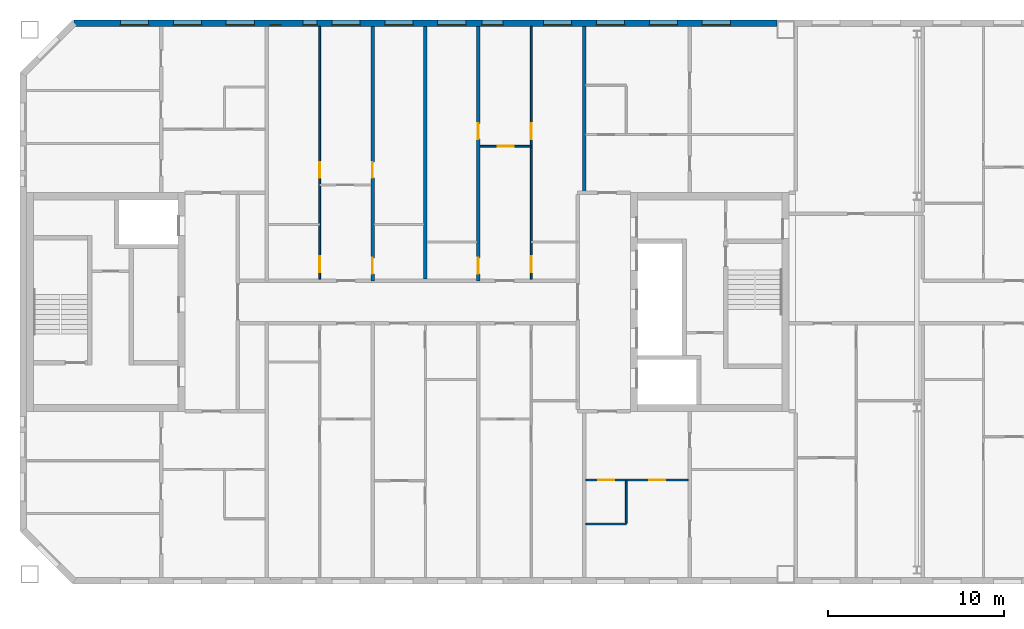
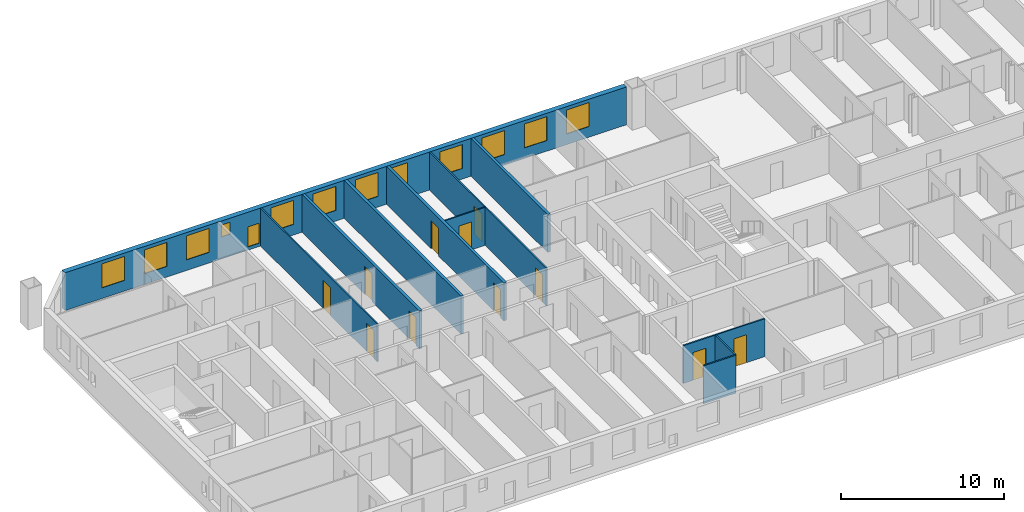
# One storey, part 7 of 19: 13 windows, 11 doors, 11 walls, 24 openings.
"""IFC4 building model written with IfcOpenShell, lengths in metres."""

from ifc_helpers import new_model, si_unit, direction, frame, frame_2d, origin, place, context, subcontext, project, spatial, rectangle, extrude, material, layer, layer_set, type_object, element, fill, save


model = new_model("IFC4")

# Units and contexts
model_context = context("Model", 3, precision=1e-05, world=origin(), true_north=direction((0.0, 1.0)))
body_context = subcontext(model_context, "Body", "Model", "MODEL_VIEW")
ifc_project = project(units=[si_unit("LENGTHUNIT", "METRE"), si_unit("AREAUNIT", "SQUARE_METRE"), si_unit("VOLUMEUNIT", "CUBIC_METRE"), si_unit("PLANEANGLEUNIT", "RADIAN"), si_unit("MASSUNIT", "GRAM", prefix="KILO")], contexts=[model_context])

# Site, building, storey
site_placement = place(None, origin())
site = spatial("IfcSite", under=ifc_project, at=site_placement, CompositionType="ELEMENT")
building_placement = place(site_placement, origin())
building = spatial("IfcBuilding", under=site, at=building_placement, Name="Tuart Gate Housing", CompositionType="ELEMENT")
storey_placement = place(building_placement, frame((0.0, 0.0, 224.5)))
storey = spatial("IfcBuildingStorey", under=building, at=storey_placement, Name="L63", CompositionType="ELEMENT", Elevation=224.5)

# Wall, openings, windows
ifc_material_1 = material(Name="Brick", Category="masonry")
ifc_layer_1 = layer(ifc_material_1, 0.360107421875)
ifc_layer_set_1 = layer_set([ifc_layer_1], Name="Brick pier and spandrel wall 360")
wall_type_1 = type_object("IfcWallType", Name="Brick pier and spandrel wall 360", PredefinedType="STANDARD", material=ifc_layer_set_1)
wall_1_placement = place(storey_placement, frame((74.949951171875, 85.820068359375, 0.0), z_axis=(0.0, 0.0, 1.0), x_axis=(-1.0, 0.0, 0.0)))
wall_1 = element("IfcWall", 1, at=wall_1_placement, inside=storey, type_object=wall_type_1, Name="External wall BLK-N L63", PredefinedType="STANDARD", context=body_context, shape_type="SweptSolid", body=[
    extrude(rectangle(XDim=39.87548828125, YDim=0.360107421875, at=frame_2d((19.937744140625, 0.0))), origin(), (0.0, 0.0, 1.0), 2.85009765625),
])
opening_1_placement = place(wall_1_placement, frame((2.64990234375, 0.0, 0.800048828125)))
opening_1 = element("IfcOpeningElement", 2, at=opening_1_placement, cuts=wall_1, Name="Opening W1", PredefinedType="OPENING", context=body_context, shape_type="SweptSolid", body=[
    extrude(rectangle(XDim=1.60009765625, YDim=1.800048828125, at=frame_2d((0.800048828125, 0.89990234375))), frame((0.0, 0.18994140625, 0.0), z_axis=(0.0, -1.0, 0.0), x_axis=(1.0, 0.0, 0.0)), (0.0, 0.0, 1.0), 0.380126953125),
])
opening_2_placement = place(wall_1_placement, frame((5.64990234375, 0.0, 0.800048828125)))
opening_2 = element("IfcOpeningElement", 3, at=opening_2_placement, cuts=wall_1, Name="Opening W1", PredefinedType="OPENING", context=body_context, shape_type="SweptSolid", body=[
    extrude(rectangle(XDim=1.60009765625, YDim=1.800048828125, at=frame_2d((0.800048828125, 0.89990234375))), frame((0.0, 0.18994140625, 0.0), z_axis=(0.0, -1.0, 0.0), x_axis=(1.0, 0.0, 0.0)), (0.0, 0.0, 1.0), 0.380126953125),
])
opening_3_placement = place(wall_1_placement, frame((8.64990234375, 0.0, 0.800048828125)))
opening_3 = element("IfcOpeningElement", 4, at=opening_3_placement, cuts=wall_1, Name="Opening W1", PredefinedType="OPENING", context=body_context, shape_type="SweptSolid", body=[
    extrude(rectangle(XDim=1.60009765625, YDim=1.800048828125, at=frame_2d((0.800048828125, 0.89990234375))), frame((0.0, 0.18994140625, 0.0), z_axis=(0.0, -1.0, 0.0), x_axis=(1.0, 0.0, 0.0)), (0.0, 0.0, 1.0), 0.380126953125),
])
opening_4_placement = place(wall_1_placement, frame((11.64990234375, 0.0, 0.800048828125)))
opening_4 = element("IfcOpeningElement", 5, at=opening_4_placement, cuts=wall_1, Name="Opening W1", PredefinedType="OPENING", context=body_context, shape_type="SweptSolid", body=[
    extrude(rectangle(XDim=1.60009765625, YDim=1.800048828125, at=frame_2d((0.800048828125, 0.89990234375))), frame((0.0, 0.18994140625, 0.0), z_axis=(0.0, -1.0, 0.0), x_axis=(1.0, 0.0, 0.0)), (0.0, 0.0, 1.0), 0.380126953125),
])
opening_5_placement = place(wall_1_placement, frame((15.550048828125, 0.0, 0.800048828125)))
opening_5 = element("IfcOpeningElement", 6, at=opening_5_placement, cuts=wall_1, Name="Opening W1B", PredefinedType="OPENING", context=body_context, shape_type="SweptSolid", body=[
    extrude(rectangle(XDim=1.199951171875, YDim=1.800048828125, at=frame_2d((0.60009765625, 0.89990234375))), frame((0.0, 0.18994140625, 0.0), z_axis=(0.0, -1.0, 0.0), x_axis=(1.0, 0.0, 0.0)), (0.0, 0.0, 1.0), 0.380126953125),
])
opening_6_placement = place(wall_1_placement, frame((17.64990234375, 0.0, 0.800048828125)))
opening_6 = element("IfcOpeningElement", 7, at=opening_6_placement, cuts=wall_1, Name="Opening W1", PredefinedType="OPENING", context=body_context, shape_type="SweptSolid", body=[
    extrude(rectangle(XDim=1.60009765625, YDim=1.800048828125, at=frame_2d((0.800048828125, 0.89990234375))), frame((0.0, 0.18994140625, 0.0), z_axis=(0.0, -1.0, 0.0), x_axis=(1.0, 0.0, 0.0)), (0.0, 0.0, 1.0), 0.380126953125),
])
opening_7_placement = place(wall_1_placement, frame((20.64990234375, 0.0, 0.800048828125)))
opening_7 = element("IfcOpeningElement", 8, at=opening_7_placement, cuts=wall_1, Name="Opening W1", PredefinedType="OPENING", context=body_context, shape_type="SweptSolid", body=[
    extrude(rectangle(XDim=1.60009765625, YDim=1.800048828125, at=frame_2d((0.800048828125, 0.89990234375))), frame((0.0, 0.18994140625, 0.0), z_axis=(0.0, -1.0, 0.0), x_axis=(1.0, 0.0, 0.0)), (0.0, 0.0, 1.0), 0.380126953125),
])
opening_8_placement = place(wall_1_placement, frame((23.64990234375, 0.0, 0.800048828125)))
opening_8 = element("IfcOpeningElement", 9, at=opening_8_placement, cuts=wall_1, Name="Opening W1", PredefinedType="OPENING", context=body_context, shape_type="SweptSolid", body=[
    extrude(rectangle(XDim=1.60009765625, YDim=1.800048828125, at=frame_2d((0.800048828125, 0.89990234375))), frame((0.0, 0.18994140625, 0.0), z_axis=(0.0, -1.0, 0.0), x_axis=(1.0, 0.0, 0.0)), (0.0, 0.0, 1.0), 0.380126953125),
])
opening_9_placement = place(wall_1_placement, frame((26.10009765625, 0.0, 0.25)))
opening_9 = element("IfcOpeningElement", 10, at=opening_9_placement, cuts=wall_1, Name="Opening W1J", PredefinedType="OPENING", context=body_context, shape_type="SweptSolid", body=[
    extrude(rectangle(XDim=0.800048828125, YDim=1.5, at=frame_2d((0.39990234375, 0.75))), frame((0.0, 0.18994140625, 0.0), z_axis=(0.0, -1.0, 0.0), x_axis=(1.0, 0.0, 0.0)), (0.0, 0.0, 1.0), 0.380126953125),
])
opening_10_placement = place(wall_1_placement, frame((29.64990234375, 0.0, 0.800048828125)))
opening_10 = element("IfcOpeningElement", 11, at=opening_10_placement, cuts=wall_1, Name="Opening W1", PredefinedType="OPENING", context=body_context, shape_type="SweptSolid", body=[
    extrude(rectangle(XDim=1.60009765625, YDim=1.800048828125, at=frame_2d((0.800048828125, 0.89990234375))), frame((0.0, 0.18994140625, 0.0), z_axis=(0.0, -1.0, 0.0), x_axis=(1.0, 0.0, 0.0)), (0.0, 0.0, 1.0), 0.380126953125),
])
opening_11_placement = place(wall_1_placement, frame((32.64990234375, 0.0, 0.800048828125)))
opening_11 = element("IfcOpeningElement", 12, at=opening_11_placement, cuts=wall_1, Name="Opening W1", PredefinedType="OPENING", context=body_context, shape_type="SweptSolid", body=[
    extrude(rectangle(XDim=1.60009765625, YDim=1.800048828125, at=frame_2d((0.800048828125, 0.89990234375))), frame((0.0, 0.18994140625, 0.0), z_axis=(0.0, -1.0, 0.0), x_axis=(1.0, 0.0, 0.0)), (0.0, 0.0, 1.0), 0.380126953125),
])
opening_12_placement = place(wall_1_placement, frame((35.64990234375, 0.0, 0.800048828125)))
opening_12 = element("IfcOpeningElement", 13, at=opening_12_placement, cuts=wall_1, Name="Opening W1", PredefinedType="OPENING", context=body_context, shape_type="SweptSolid", body=[
    extrude(rectangle(XDim=1.60009765625, YDim=1.800048828125, at=frame_2d((0.800048828125, 0.89990234375))), frame((0.0, 0.18994140625, 0.0), z_axis=(0.0, -1.0, 0.0), x_axis=(1.0, 0.0, 0.0)), (0.0, 0.0, 1.0), 0.380126953125),
])
opening_13_placement = place(wall_1_placement, frame((28.14990234375, 0.0, 1.64990234375)))
opening_13 = element("IfcOpeningElement", 14, at=opening_13_placement, cuts=wall_1, Name="Opening W1W", PredefinedType="OPENING", context=body_context, shape_type="SweptSolid", body=[
    extrude(rectangle(XDim=0.60009765625, YDim=0.89990234375, at=frame_2d((0.300048828125, 0.449951171875))), frame((0.0, 0.18994140625, 0.0), z_axis=(0.0, -1.0, 0.0), x_axis=(1.0, 0.0, 0.0)), (0.0, 0.0, 1.0), 0.380126953125),
])
ifc_material_2 = material(Name="Aluminium frame with clear glass", Category="aluminium")
window_type_1 = type_object("IfcWindowType", Name="Punched window 1200 x 1800", PartitioningType="SINGLE_PANEL", PredefinedType="WINDOW", material=ifc_material_2)
window_1_placement = place(opening_5_placement, origin())
window_1 = element("IfcWindow", 15, at=window_1_placement, inside=storey, type_object=window_type_1, Name="Window W1B", OverallHeight=1.800048828125, OverallWidth=1.199951171875, PartitioningType="SINGLE_PANEL", PredefinedType="WINDOW", context=body_context, shape_type="SweptSolid", body=[
    extrude(rectangle(XDim=1.199951171875, YDim=1.800048828125, at=frame_2d((0.60009765625, 0.89990234375))), frame((0.0, 0.150146484375, 0.0), z_axis=(0.0, -1.0, 0.0), x_axis=(1.0, 0.0, 0.0)), (0.0, 0.0, 1.0), 0.06005859375),
])
fill(opening_5, window_1)
ifc_material_3 = material(Name="Aluminium frame with clear glass", Category="aluminium")
window_type_2 = type_object("IfcWindowType", Name="Punched window 1600 x 1800", PartitioningType="SINGLE_PANEL", PredefinedType="WINDOW", material=ifc_material_3)
window_2_placement = place(opening_1_placement, origin())
window_2 = element("IfcWindow", 16, at=window_2_placement, inside=storey, type_object=window_type_2, Name="Window W1", OverallHeight=1.800048828125, OverallWidth=1.60009765625, PartitioningType="SINGLE_PANEL", PredefinedType="WINDOW", context=body_context, shape_type="SweptSolid", body=[
    extrude(rectangle(XDim=1.60009765625, YDim=1.800048828125, at=frame_2d((0.800048828125, 0.89990234375))), frame((0.0, 0.150146484375, 0.0), z_axis=(0.0, -1.0, 0.0), x_axis=(1.0, 0.0, 0.0)), (0.0, 0.0, 1.0), 0.06005859375),
])
fill(opening_1, window_2)
window_3_placement = place(opening_2_placement, origin())
window_3 = element("IfcWindow", 17, at=window_3_placement, inside=storey, type_object=window_type_2, Name="Window W1", OverallHeight=1.800048828125, OverallWidth=1.60009765625, PartitioningType="SINGLE_PANEL", PredefinedType="WINDOW", context=body_context, shape_type="SweptSolid", body=[
    extrude(rectangle(XDim=1.60009765625, YDim=1.800048828125, at=frame_2d((0.800048828125, 0.89990234375))), frame((0.0, 0.150146484375, 0.0), z_axis=(0.0, -1.0, 0.0), x_axis=(1.0, 0.0, 0.0)), (0.0, 0.0, 1.0), 0.06005859375),
])
fill(opening_2, window_3)
window_4_placement = place(opening_3_placement, origin())
window_4 = element("IfcWindow", 18, at=window_4_placement, inside=storey, type_object=window_type_2, Name="Window W1", OverallHeight=1.800048828125, OverallWidth=1.60009765625, PartitioningType="SINGLE_PANEL", PredefinedType="WINDOW", context=body_context, shape_type="SweptSolid", body=[
    extrude(rectangle(XDim=1.60009765625, YDim=1.800048828125, at=frame_2d((0.800048828125, 0.89990234375))), frame((0.0, 0.150146484375, 0.0), z_axis=(0.0, -1.0, 0.0), x_axis=(1.0, 0.0, 0.0)), (0.0, 0.0, 1.0), 0.06005859375),
])
fill(opening_3, window_4)
window_5_placement = place(opening_4_placement, origin())
window_5 = element("IfcWindow", 19, at=window_5_placement, inside=storey, type_object=window_type_2, Name="Window W1", OverallHeight=1.800048828125, OverallWidth=1.60009765625, PartitioningType="SINGLE_PANEL", PredefinedType="WINDOW", context=body_context, shape_type="SweptSolid", body=[
    extrude(rectangle(XDim=1.60009765625, YDim=1.800048828125, at=frame_2d((0.800048828125, 0.89990234375))), frame((0.0, 0.150146484375, 0.0), z_axis=(0.0, -1.0, 0.0), x_axis=(1.0, 0.0, 0.0)), (0.0, 0.0, 1.0), 0.06005859375),
])
fill(opening_4, window_5)
window_6_placement = place(opening_6_placement, origin())
window_6 = element("IfcWindow", 20, at=window_6_placement, inside=storey, type_object=window_type_2, Name="Window W1", OverallHeight=1.800048828125, OverallWidth=1.60009765625, PartitioningType="SINGLE_PANEL", PredefinedType="WINDOW", context=body_context, shape_type="SweptSolid", body=[
    extrude(rectangle(XDim=1.60009765625, YDim=1.800048828125, at=frame_2d((0.800048828125, 0.89990234375))), frame((0.0, 0.150146484375, 0.0), z_axis=(0.0, -1.0, 0.0), x_axis=(1.0, 0.0, 0.0)), (0.0, 0.0, 1.0), 0.06005859375),
])
fill(opening_6, window_6)
window_7_placement = place(opening_7_placement, origin())
window_7 = element("IfcWindow", 21, at=window_7_placement, inside=storey, type_object=window_type_2, Name="Window W1", OverallHeight=1.800048828125, OverallWidth=1.60009765625, PartitioningType="SINGLE_PANEL", PredefinedType="WINDOW", context=body_context, shape_type="SweptSolid", body=[
    extrude(rectangle(XDim=1.60009765625, YDim=1.800048828125, at=frame_2d((0.800048828125, 0.89990234375))), frame((0.0, 0.150146484375, 0.0), z_axis=(0.0, -1.0, 0.0), x_axis=(1.0, 0.0, 0.0)), (0.0, 0.0, 1.0), 0.06005859375),
])
fill(opening_7, window_7)
window_8_placement = place(opening_8_placement, origin())
window_8 = element("IfcWindow", 22, at=window_8_placement, inside=storey, type_object=window_type_2, Name="Window W1", OverallHeight=1.800048828125, OverallWidth=1.60009765625, PartitioningType="SINGLE_PANEL", PredefinedType="WINDOW", context=body_context, shape_type="SweptSolid", body=[
    extrude(rectangle(XDim=1.60009765625, YDim=1.800048828125, at=frame_2d((0.800048828125, 0.89990234375))), frame((0.0, 0.150146484375, 0.0), z_axis=(0.0, -1.0, 0.0), x_axis=(1.0, 0.0, 0.0)), (0.0, 0.0, 1.0), 0.06005859375),
])
fill(opening_8, window_8)
window_9_placement = place(opening_10_placement, origin())
window_9 = element("IfcWindow", 23, at=window_9_placement, inside=storey, type_object=window_type_2, Name="Window W1", OverallHeight=1.800048828125, OverallWidth=1.60009765625, PartitioningType="SINGLE_PANEL", PredefinedType="WINDOW", context=body_context, shape_type="SweptSolid", body=[
    extrude(rectangle(XDim=1.60009765625, YDim=1.800048828125, at=frame_2d((0.800048828125, 0.89990234375))), frame((0.0, 0.150146484375, 0.0), z_axis=(0.0, -1.0, 0.0), x_axis=(1.0, 0.0, 0.0)), (0.0, 0.0, 1.0), 0.06005859375),
])
fill(opening_10, window_9)
window_10_placement = place(opening_11_placement, origin())
window_10 = element("IfcWindow", 24, at=window_10_placement, inside=storey, type_object=window_type_2, Name="Window W1", OverallHeight=1.800048828125, OverallWidth=1.60009765625, PartitioningType="SINGLE_PANEL", PredefinedType="WINDOW", context=body_context, shape_type="SweptSolid", body=[
    extrude(rectangle(XDim=1.60009765625, YDim=1.800048828125, at=frame_2d((0.800048828125, 0.89990234375))), frame((0.0, 0.150146484375, 0.0), z_axis=(0.0, -1.0, 0.0), x_axis=(1.0, 0.0, 0.0)), (0.0, 0.0, 1.0), 0.06005859375),
])
fill(opening_11, window_10)
window_11_placement = place(opening_12_placement, origin())
window_11 = element("IfcWindow", 25, at=window_11_placement, inside=storey, type_object=window_type_2, Name="Window W1", OverallHeight=1.800048828125, OverallWidth=1.60009765625, PartitioningType="SINGLE_PANEL", PredefinedType="WINDOW", context=body_context, shape_type="SweptSolid", body=[
    extrude(rectangle(XDim=1.60009765625, YDim=1.800048828125, at=frame_2d((0.800048828125, 0.89990234375))), frame((0.0, 0.150146484375, 0.0), z_axis=(0.0, -1.0, 0.0), x_axis=(1.0, 0.0, 0.0)), (0.0, 0.0, 1.0), 0.06005859375),
])
fill(opening_12, window_11)
ifc_material_4 = material(Name="Aluminium frame with clear glass", Category="aluminium")
window_type_3 = type_object("IfcWindowType", Name="Punched window 600 x 900", PartitioningType="SINGLE_PANEL", PredefinedType="WINDOW", material=ifc_material_4)
window_12_placement = place(opening_13_placement, origin())
window_12 = element("IfcWindow", 26, at=window_12_placement, inside=storey, type_object=window_type_3, Name="Window W1W", OverallHeight=0.89990234375, OverallWidth=0.60009765625, PartitioningType="SINGLE_PANEL", PredefinedType="WINDOW", context=body_context, shape_type="SweptSolid", body=[
    extrude(rectangle(XDim=0.60009765625, YDim=0.89990234375, at=frame_2d((0.300048828125, 0.449951171875))), frame((0.0, 0.150146484375, 0.0), z_axis=(0.0, -1.0, 0.0), x_axis=(1.0, 0.0, 0.0)), (0.0, 0.0, 1.0), 0.06005859375),
])
fill(opening_13, window_12)
ifc_material_5 = material(Name="Aluminium frame with clear glass", Category="aluminium")
window_type_4 = type_object("IfcWindowType", Name="Punched window 800 x 1500", PartitioningType="SINGLE_PANEL", PredefinedType="WINDOW", material=ifc_material_5)
window_13_placement = place(opening_9_placement, origin())
window_13 = element("IfcWindow", 27, at=window_13_placement, inside=storey, type_object=window_type_4, Name="Window W1J", OverallHeight=1.5, OverallWidth=0.800048828125, PartitioningType="SINGLE_PANEL", PredefinedType="WINDOW", context=body_context, shape_type="SweptSolid", body=[
    extrude(rectangle(XDim=0.800048828125, YDim=1.5, at=frame_2d((0.39990234375, 0.75))), frame((0.0, 0.150146484375, 0.0), z_axis=(0.0, -1.0, 0.0), x_axis=(1.0, 0.0, 0.0)), (0.0, 0.0, 1.0), 0.06005859375),
])
fill(opening_9, window_13)

# Wall
ifc_material_6 = material(Name="Gypsum board on steel studs", Category="steel")
ifc_layer_2 = layer(ifc_material_6, 0.10009765625)
ifc_layer_set_2 = layer_set([ifc_layer_2], Name="Partition 100")
wall_type_2 = type_object("IfcWallType", Name="Partition 100", PredefinedType="PARTITIONING", material=ifc_layer_set_2)
wall_2_placement = place(storey_placement, frame((64.10009765625, 57.39990234375, 0.0), z_axis=(0.0, 0.0, 1.0), x_axis=(1.0, 0.0, 0.0)))
element("IfcWall", 28, at=wall_2_placement, inside=storey, type_object=wall_type_2, Name="Partition 100", PredefinedType="PARTITIONING", context=body_context, shape_type="SweptSolid", body=[
    extrude(rectangle(XDim=2.2998046875, YDim=0.10009765625, at=frame_2d((1.14990234375, 0.0))), origin(), (0.0, 0.0, 1.0), 2.85009765625),
])

# Wall, openings, doors
wall_3_placement = place(storey_placement, frame((64.10009765625, 59.89990234375, 0.0), z_axis=(0.0, 0.0, 1.0), x_axis=(1.0, 0.0, 0.0)))
wall_3 = element("IfcWall", 29, at=wall_3_placement, inside=storey, type_object=wall_type_2, Name="Partition 100", PredefinedType="PARTITIONING", context=body_context, shape_type="SweptSolid", body=[
    extrude(rectangle(XDim=5.7998046875, YDim=0.10009765625, at=frame_2d((2.89990234375, 0.0))), origin(), (0.0, 0.0, 1.0), 2.85009765625),
])
opening_14_placement = place(wall_3_placement, frame((3.60009765625, 0.0, 0.0)))
opening_14 = element("IfcOpeningElement", 30, at=opening_14_placement, cuts=wall_3, Name="Opening D2326", PredefinedType="OPENING", context=body_context, shape_type="SweptSolid", body=[
    extrude(rectangle(XDim=0.89990234375, YDim=2.10009765625, at=frame_2d((0.449951171875, 1.050048828125))), frame((0.0, 0.06005859375, 0.0), z_axis=(0.0, -1.0, 0.0), x_axis=(1.0, 0.0, 0.0)), (0.0, 0.0, 1.0), 0.1201171875),
])
opening_15_placement = place(wall_3_placement, frame((0.699951171875, 0.0, 0.0)))
opening_15 = element("IfcOpeningElement", 31, at=opening_15_placement, cuts=wall_3, Name="Opening D2325", PredefinedType="OPENING", context=body_context, shape_type="SweptSolid", body=[
    extrude(rectangle(XDim=0.89990234375, YDim=2.10009765625, at=frame_2d((0.449951171875, 1.050048828125))), frame((0.0, 0.06005859375, 0.0), z_axis=(0.0, -1.0, 0.0), x_axis=(1.0, 0.0, 0.0)), (0.0, 0.0, 1.0), 0.1201171875),
])
ifc_material_7 = material(Name="Timber door leaf in steel frame", Category="steel")
door_type_1 = type_object("IfcDoorType", Name="Bathroom door 900", OperationType="SINGLE_SWING_LEFT", PredefinedType="DOOR", material=ifc_material_7)
door_1_placement = place(opening_15_placement, frame((0.89990234375, 0.0, 0.0), z_axis=(0.0, 0.0, 1.0), x_axis=(-1.0, 0.0, 0.0)))
door_1 = element("IfcDoor", 32, at=door_1_placement, inside=storey, type_object=door_type_1, Name="Bathroom door", OperationType="SINGLE_SWING_LEFT", OverallHeight=2.10009765625, OverallWidth=0.89990234375, PredefinedType="DOOR", context=body_context, shape_type="SweptSolid", body=[
    extrude(rectangle(XDim=0.89990234375, YDim=2.10009765625, at=frame_2d((0.449951171875, 1.050048828125))), frame((0.0, 0.025146484375, 0.0), z_axis=(0.0, -1.0, 0.0), x_axis=(1.0, 0.0, 0.0)), (0.0, 0.0, 1.0), 0.050048828125),
])
fill(opening_15, door_1)
ifc_material_8 = material(Name="Timber door leaf in steel frame", Category="steel")
door_type_2 = type_object("IfcDoorType", Name="Internal door 900 RH", OperationType="SINGLE_SWING_RIGHT", PredefinedType="DOOR", material=ifc_material_8)
door_2_placement = place(opening_14_placement, origin())
door_2 = element("IfcDoor", 33, at=door_2_placement, inside=storey, type_object=door_type_2, Name="Internal door", OperationType="SINGLE_SWING_RIGHT", OverallHeight=2.10009765625, OverallWidth=0.89990234375, PredefinedType="DOOR", context=body_context, shape_type="SweptSolid", body=[
    extrude(rectangle(XDim=0.89990234375, YDim=2.10009765625, at=frame_2d((0.449951171875, 1.050048828125))), frame((0.0, 0.02490234375, 0.0), z_axis=(0.0, -1.0, 0.0), x_axis=(1.0, 0.0, 0.0)), (0.0, 0.0, 1.0), 0.050048828125),
])
fill(opening_14, door_2)

# Wall, opening, door
wall_4_placement = place(storey_placement, frame((58.10009765625, 78.840087890625, 0.0), z_axis=(0.0, 0.0, 1.0), x_axis=(1.0, 0.0, 0.0)))
wall_4 = element("IfcWall", 34, at=wall_4_placement, inside=storey, type_object=wall_type_2, Name="Partition 100", PredefinedType="PARTITIONING", context=body_context, shape_type="SweptSolid", body=[
    extrude(rectangle(XDim=2.89990234375, YDim=0.10009765625, at=frame_2d((1.449951171875, 0.0))), origin(), (0.0, 0.0, 1.0), 2.85009765625),
])
opening_16_placement = place(wall_4_placement, frame((1.0, 0.0, 0.0)))
opening_16 = element("IfcOpeningElement", 35, at=opening_16_placement, cuts=wall_4, Name="Opening D2285", PredefinedType="OPENING", context=body_context, shape_type="SweptSolid", body=[
    extrude(rectangle(XDim=0.89990234375, YDim=2.10009765625, at=frame_2d((0.449951171875, 1.050048828125))), frame((0.0, 0.06005859375, 0.0), z_axis=(0.0, -1.0, 0.0), x_axis=(1.0, 0.0, 0.0)), (0.0, 0.0, 1.0), 0.1201171875),
])
ifc_material_9 = material(Name="Timber door leaf in steel frame", Category="steel")
door_type_3 = type_object("IfcDoorType", Name="Internal door 900", OperationType="SINGLE_SWING_LEFT", PredefinedType="DOOR", material=ifc_material_9)
door_3_placement = place(opening_16_placement, frame((0.89990234375, 0.0, 0.0), z_axis=(0.0, 0.0, 1.0), x_axis=(-1.0, 0.0, 0.0)))
door_3 = element("IfcDoor", 36, at=door_3_placement, inside=storey, type_object=door_type_3, Name="Internal door", OperationType="SINGLE_SWING_LEFT", OverallHeight=2.10009765625, OverallWidth=0.89990234375, PredefinedType="DOOR", context=body_context, shape_type="SweptSolid", body=[
    extrude(rectangle(XDim=0.89990234375, YDim=2.10009765625, at=frame_2d((0.449951171875, 1.050048828125))), frame((0.0, 0.025146484375, 0.0), z_axis=(0.0, -1.0, 0.0), x_axis=(1.0, 0.0, 0.0)), (0.0, 0.0, 1.0), 0.050048828125),
])
fill(opening_16, door_3)

# Wall, openings, doors
wall_5_placement = place(storey_placement, frame((49.0, 71.300048828125, 0.0), z_axis=(0.0, 0.0, 1.0), x_axis=(0.0, 1.0, 0.0)))
wall_5 = element("IfcWall", 37, at=wall_5_placement, inside=storey, type_object=wall_type_2, Name="Partition 100", PredefinedType="PARTITIONING", context=body_context, shape_type="SweptSolid", body=[
    extrude(rectangle(XDim=14.33984375, YDim=0.10009765625, at=frame_2d((7.169921875, 0.0))), origin(), (0.0, 0.0, 1.0), 2.85009765625),
])
opening_17_placement = place(wall_5_placement, frame((5.739990234375, 0.0, 0.0)))
opening_17 = element("IfcOpeningElement", 38, at=opening_17_placement, cuts=wall_5, Name="Opening D2287", PredefinedType="OPENING", context=body_context, shape_type="SweptSolid", body=[
    extrude(rectangle(XDim=0.89990234375, YDim=2.10009765625, at=frame_2d((0.449951171875, 1.050048828125))), frame((0.0, 0.06005859375, 0.0), z_axis=(0.0, -1.0, 0.0), x_axis=(1.0, 0.0, 0.0)), (0.0, 0.0, 1.0), 0.1201171875),
])
opening_18_placement = place(wall_5_placement, frame((0.39990234375, 0.0, 0.0)))
opening_18 = element("IfcOpeningElement", 39, at=opening_18_placement, cuts=wall_5, Name="Opening D2286", PredefinedType="OPENING", context=body_context, shape_type="SweptSolid", body=[
    extrude(rectangle(XDim=0.89990234375, YDim=2.10009765625, at=frame_2d((0.449951171875, 1.050048828125))), frame((0.0, 0.06005859375, 0.0), z_axis=(0.0, -1.0, 0.0), x_axis=(1.0, 0.0, 0.0)), (0.0, 0.0, 1.0), 0.1201171875),
])
door_4_placement = place(opening_18_placement, origin())
door_4 = element("IfcDoor", 40, at=door_4_placement, inside=storey, type_object=door_type_1, Name="Bathroom door", OperationType="SINGLE_SWING_LEFT", OverallHeight=2.10009765625, OverallWidth=0.89990234375, PredefinedType="DOOR", context=body_context, shape_type="SweptSolid", body=[
    extrude(rectangle(XDim=0.89990234375, YDim=2.10009765625, at=frame_2d((0.449951171875, 1.050048828125))), frame((0.0, 0.02490234375, 0.0), z_axis=(0.0, -1.0, 0.0), x_axis=(1.0, 0.0, 0.0)), (0.0, 0.0, 1.0), 0.050048828125),
])
fill(opening_18, door_4)
door_5_placement = place(opening_17_placement, origin())
door_5 = element("IfcDoor", 41, at=door_5_placement, inside=storey, type_object=door_type_3, Name="Internal door", OperationType="SINGLE_SWING_LEFT", OverallHeight=2.10009765625, OverallWidth=0.89990234375, PredefinedType="DOOR", context=body_context, shape_type="SweptSolid", body=[
    extrude(rectangle(XDim=0.89990234375, YDim=2.10009765625, at=frame_2d((0.449951171875, 1.050048828125))), frame((0.0, 0.02490234375, 0.0), z_axis=(0.0, -1.0, 0.0), x_axis=(1.0, 0.0, 0.0)), (0.0, 0.0, 1.0), 0.050048828125),
])
fill(opening_17, door_5)

wall_6_placement = place(storey_placement, frame((61.0, 71.300048828125, 0.0), z_axis=(0.0, 0.0, 1.0), x_axis=(0.0, 1.0, 0.0)))
wall_6 = element("IfcWall", 42, at=wall_6_placement, inside=storey, type_object=wall_type_2, Name="Partition 100", PredefinedType="PARTITIONING", context=body_context, shape_type="SweptSolid", body=[
    extrude(rectangle(XDim=14.33984375, YDim=0.10009765625, at=frame_2d((7.169921875, 0.0))), origin(), (0.0, 0.0, 1.0), 2.85009765625),
])
opening_19_placement = place(wall_6_placement, frame((7.93994140625, 0.0, 0.0)))
opening_19 = element("IfcOpeningElement", 43, at=opening_19_placement, cuts=wall_6, Name="Opening D2289", PredefinedType="OPENING", context=body_context, shape_type="SweptSolid", body=[
    extrude(rectangle(XDim=0.89990234375, YDim=2.10009765625, at=frame_2d((0.449951171875, 1.050048828125))), frame((0.0, 0.06005859375, 0.0), z_axis=(0.0, -1.0, 0.0), x_axis=(1.0, 0.0, 0.0)), (0.0, 0.0, 1.0), 0.1201171875),
])
opening_20_placement = place(wall_6_placement, frame((0.39990234375, 0.0, 0.0)))
opening_20 = element("IfcOpeningElement", 44, at=opening_20_placement, cuts=wall_6, Name="Opening D2288", PredefinedType="OPENING", context=body_context, shape_type="SweptSolid", body=[
    extrude(rectangle(XDim=0.89990234375, YDim=2.10009765625, at=frame_2d((0.449951171875, 1.050048828125))), frame((0.0, 0.06005859375, 0.0), z_axis=(0.0, -1.0, 0.0), x_axis=(1.0, 0.0, 0.0)), (0.0, 0.0, 1.0), 0.1201171875),
])
ifc_material_10 = material(Name="Timber door leaf in steel frame", Category="steel")
door_type_4 = type_object("IfcDoorType", Name="Bathroom door 900 RH", OperationType="SINGLE_SWING_RIGHT", PredefinedType="DOOR", material=ifc_material_10)
door_6_placement = place(opening_20_placement, frame((0.89990234375, 0.0, 0.0), z_axis=(0.0, 0.0, 1.0), x_axis=(-1.0, 0.0, 0.0)))
door_6 = element("IfcDoor", 45, at=door_6_placement, inside=storey, type_object=door_type_4, Name="Bathroom door", OperationType="SINGLE_SWING_RIGHT", OverallHeight=2.10009765625, OverallWidth=0.89990234375, PredefinedType="DOOR", context=body_context, shape_type="SweptSolid", body=[
    extrude(rectangle(XDim=0.89990234375, YDim=2.10009765625, at=frame_2d((0.449951171875, 1.050048828125))), frame((0.0, 0.025146484375, 0.0), z_axis=(0.0, -1.0, 0.0), x_axis=(1.0, 0.0, 0.0)), (0.0, 0.0, 1.0), 0.050048828125),
])
fill(opening_20, door_6)
door_7_placement = place(opening_19_placement, frame((0.89990234375, 0.0, 0.0), z_axis=(0.0, 0.0, 1.0), x_axis=(-1.0, 0.0, 0.0)))
door_7 = element("IfcDoor", 46, at=door_7_placement, inside=storey, type_object=door_type_3, Name="Internal door", OperationType="SINGLE_SWING_LEFT", OverallHeight=2.10009765625, OverallWidth=0.89990234375, PredefinedType="DOOR", context=body_context, shape_type="SweptSolid", body=[
    extrude(rectangle(XDim=0.89990234375, YDim=2.10009765625, at=frame_2d((0.449951171875, 1.050048828125))), frame((0.0, 0.025146484375, 0.0), z_axis=(0.0, -1.0, 0.0), x_axis=(1.0, 0.0, 0.0)), (0.0, 0.0, 1.0), 0.050048828125),
])
fill(opening_19, door_7)

# Wall
wall_7_placement = place(storey_placement, frame((66.39990234375, 57.449951171875, 0.0), z_axis=(0.0, 0.0, 1.0), x_axis=(0.0, 1.0, 0.0)))
element("IfcWall", 47, at=wall_7_placement, inside=storey, type_object=wall_type_2, Name="Partition 100", PredefinedType="PARTITIONING", context=body_context, shape_type="SweptSolid", body=[
    extrude(rectangle(XDim=2.400146484375, YDim=0.10009765625, at=frame_2d((1.2001953125, 0.0))), origin(), (0.0, 0.0, 1.0), 2.85009765625),
])

# Wall, openings, doors
ifc_material_11 = material(Name="Concrete C40", Category="concrete")
ifc_layer_3 = layer(ifc_material_11, 0.199951171875)
ifc_layer_set_3 = layer_set([ifc_layer_3], Name="Party wall concrete C40 200")
wall_type_3 = type_object("IfcWallType", Name="Party wall concrete C40 200", PredefinedType="SOLIDWALL", material=ifc_layer_set_3)
wall_8_placement = place(storey_placement, frame((52.0, 71.199951171875, 0.0), z_axis=(0.0, 0.0, 1.0), x_axis=(0.0, 1.0, 0.0)))
wall_8 = element("IfcWall", 48, at=wall_8_placement, inside=storey, type_object=wall_type_3, Name="Party wall concrete C40 200", PredefinedType="SOLIDWALL", context=body_context, shape_type="SweptSolid", body=[
    extrude(rectangle(XDim=14.43994140625, YDim=0.199951171875, at=frame_2d((7.219970703125, 0.0))), origin(), (0.0, 0.0, 1.0), 2.85009765625),
])
opening_21_placement = place(wall_8_placement, frame((5.840087890625, 0.0, 0.0)))
opening_21 = element("IfcOpeningElement", 49, at=opening_21_placement, cuts=wall_8, Name="Opening D2291", PredefinedType="OPENING", context=body_context, shape_type="SweptSolid", body=[
    extrude(rectangle(XDim=0.89990234375, YDim=2.10009765625, at=frame_2d((0.449951171875, 1.050048828125))), frame((0.0, 0.10986328125, 0.0), z_axis=(0.0, -1.0, 0.0), x_axis=(1.0, 0.0, 0.0)), (0.0, 0.0, 1.0), 0.219970703125),
])
opening_22_placement = place(wall_8_placement, frame((0.39990234375, 0.0, 0.0)))
opening_22 = element("IfcOpeningElement", 50, at=opening_22_placement, cuts=wall_8, Name="Opening D2290", PredefinedType="OPENING", context=body_context, shape_type="SweptSolid", body=[
    extrude(rectangle(XDim=0.89990234375, YDim=2.10009765625, at=frame_2d((0.449951171875, 1.050048828125))), frame((0.0, 0.10986328125, 0.0), z_axis=(0.0, -1.0, 0.0), x_axis=(1.0, 0.0, 0.0)), (0.0, 0.0, 1.0), 0.219970703125),
])
door_8_placement = place(opening_22_placement, frame((0.89990234375, 0.0, 0.0), z_axis=(0.0, 0.0, 1.0), x_axis=(-1.0, 0.0, 0.0)))
door_8 = element("IfcDoor", 51, at=door_8_placement, inside=storey, type_object=door_type_4, Name="Bathroom door", OperationType="SINGLE_SWING_RIGHT", OverallHeight=2.10009765625, OverallWidth=0.89990234375, PredefinedType="DOOR", context=body_context, shape_type="SweptSolid", body=[
    extrude(rectangle(XDim=0.89990234375, YDim=2.10009765625, at=frame_2d((0.449951171875, 1.050048828125))), frame((0.0, 0.025146484375, 0.0), z_axis=(0.0, -1.0, 0.0), x_axis=(1.0, 0.0, 0.0)), (0.0, 0.0, 1.0), 0.050048828125),
])
fill(opening_22, door_8)
door_9_placement = place(opening_21_placement, frame((0.89990234375, 0.0, 0.0), z_axis=(0.0, 0.0, 1.0), x_axis=(-1.0, 0.0, 0.0)))
door_9 = element("IfcDoor", 52, at=door_9_placement, inside=storey, type_object=door_type_2, Name="Internal door", OperationType="SINGLE_SWING_RIGHT", OverallHeight=2.10009765625, OverallWidth=0.89990234375, PredefinedType="DOOR", context=body_context, shape_type="SweptSolid", body=[
    extrude(rectangle(XDim=0.89990234375, YDim=2.10009765625, at=frame_2d((0.449951171875, 1.050048828125))), frame((0.0, 0.025146484375, 0.0), z_axis=(0.0, -1.0, 0.0), x_axis=(1.0, 0.0, 0.0)), (0.0, 0.0, 1.0), 0.050048828125),
])
fill(opening_21, door_9)

wall_9_placement = place(storey_placement, frame((58.0, 71.199951171875, 0.0), z_axis=(0.0, 0.0, 1.0), x_axis=(0.0, 1.0, 0.0)))
wall_9 = element("IfcWall", 53, at=wall_9_placement, inside=storey, type_object=wall_type_3, Name="Party wall concrete C40 200", PredefinedType="SOLIDWALL", context=body_context, shape_type="SweptSolid", body=[
    extrude(rectangle(XDim=14.43994140625, YDim=0.199951171875, at=frame_2d((7.219970703125, 0.0))), origin(), (0.0, 0.0, 1.0), 2.85009765625),
])
opening_23_placement = place(wall_9_placement, frame((8.0400390625, 0.0, 0.0)))
opening_23 = element("IfcOpeningElement", 54, at=opening_23_placement, cuts=wall_9, Name="Opening D2293", PredefinedType="OPENING", context=body_context, shape_type="SweptSolid", body=[
    extrude(rectangle(XDim=0.89990234375, YDim=2.10009765625, at=frame_2d((0.449951171875, 1.050048828125))), frame((0.0, 0.10986328125, 0.0), z_axis=(0.0, -1.0, 0.0), x_axis=(1.0, 0.0, 0.0)), (0.0, 0.0, 1.0), 0.219970703125),
])
opening_24_placement = place(wall_9_placement, frame((0.39990234375, 0.0, 0.0)))
opening_24 = element("IfcOpeningElement", 55, at=opening_24_placement, cuts=wall_9, Name="Opening D2292", PredefinedType="OPENING", context=body_context, shape_type="SweptSolid", body=[
    extrude(rectangle(XDim=0.89990234375, YDim=2.10009765625, at=frame_2d((0.449951171875, 1.050048828125))), frame((0.0, 0.10986328125, 0.0), z_axis=(0.0, -1.0, 0.0), x_axis=(1.0, 0.0, 0.0)), (0.0, 0.0, 1.0), 0.219970703125),
])
door_10_placement = place(opening_24_placement, origin())
door_10 = element("IfcDoor", 56, at=door_10_placement, inside=storey, type_object=door_type_1, Name="Bathroom door", OperationType="SINGLE_SWING_LEFT", OverallHeight=2.10009765625, OverallWidth=0.89990234375, PredefinedType="DOOR", context=body_context, shape_type="SweptSolid", body=[
    extrude(rectangle(XDim=0.89990234375, YDim=2.10009765625, at=frame_2d((0.449951171875, 1.050048828125))), frame((0.0, 0.02490234375, 0.0), z_axis=(0.0, -1.0, 0.0), x_axis=(1.0, 0.0, 0.0)), (0.0, 0.0, 1.0), 0.050048828125),
])
fill(opening_24, door_10)
door_11_placement = place(opening_23_placement, origin())
door_11 = element("IfcDoor", 57, at=door_11_placement, inside=storey, type_object=door_type_2, Name="Internal door", OperationType="SINGLE_SWING_RIGHT", OverallHeight=2.10009765625, OverallWidth=0.89990234375, PredefinedType="DOOR", context=body_context, shape_type="SweptSolid", body=[
    extrude(rectangle(XDim=0.89990234375, YDim=2.10009765625, at=frame_2d((0.449951171875, 1.050048828125))), frame((0.0, 0.02490234375, 0.0), z_axis=(0.0, -1.0, 0.0), x_axis=(1.0, 0.0, 0.0)), (0.0, 0.0, 1.0), 0.050048828125),
])
fill(opening_23, door_11)

# Walls
wall_10_placement = place(storey_placement, frame((64.0, 76.199951171875, 0.0), z_axis=(0.0, 0.0, 1.0), x_axis=(0.0, 1.0, 0.0)))
element("IfcWall", 58, at=wall_10_placement, inside=storey, type_object=wall_type_3, Name="Party wall concrete C40 200", PredefinedType="SOLIDWALL", context=body_context, shape_type="SweptSolid", body=[
    extrude(rectangle(XDim=9.43994140625, YDim=0.199951171875, at=frame_2d((4.719970703125, 0.0))), origin(), (0.0, 0.0, 1.0), 2.85009765625),
])
ifc_material_12 = material(Name="Concrete masonry 15 MPa", Category="masonry")
ifc_layer_4 = layer(ifc_material_12, 0.199951171875)
ifc_layer_set_4 = layer_set([ifc_layer_4], Name="Party wall masonry 200")
wall_type_4 = type_object("IfcWallType", Name="Party wall masonry 200", PredefinedType="PARTITIONING", material=ifc_layer_set_4)
wall_11_placement = place(storey_placement, frame((55.0, 71.300048828125, 0.0), z_axis=(0.0, 0.0, 1.0), x_axis=(0.0, 1.0, 0.0)))
element("IfcWall", 59, at=wall_11_placement, inside=storey, type_object=wall_type_4, Name="Party wall masonry 200", PredefinedType="PARTITIONING", context=body_context, shape_type="SweptSolid", body=[
    extrude(rectangle(XDim=14.33984375, YDim=0.199951171875, at=frame_2d((7.169921875, 0.0))), origin(), (0.0, 0.0, 1.0), 2.85009765625),
])

save(model, "model.ifc")
